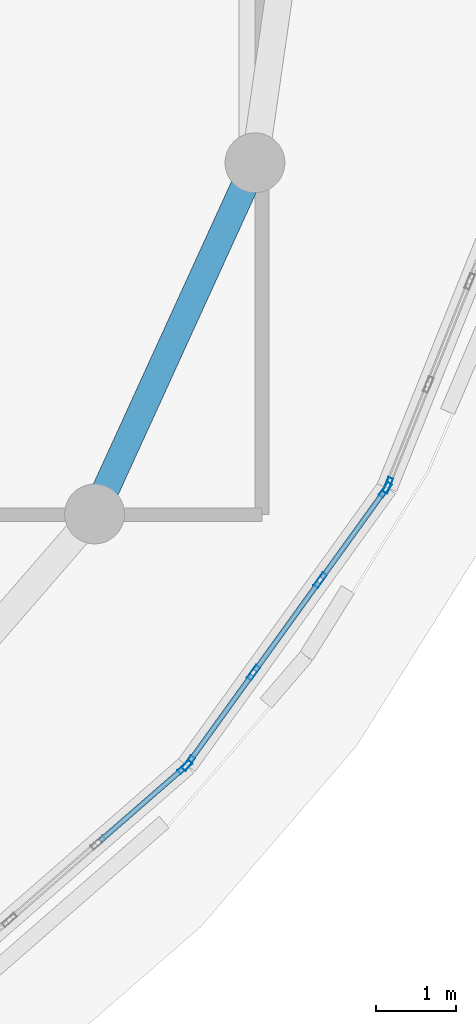
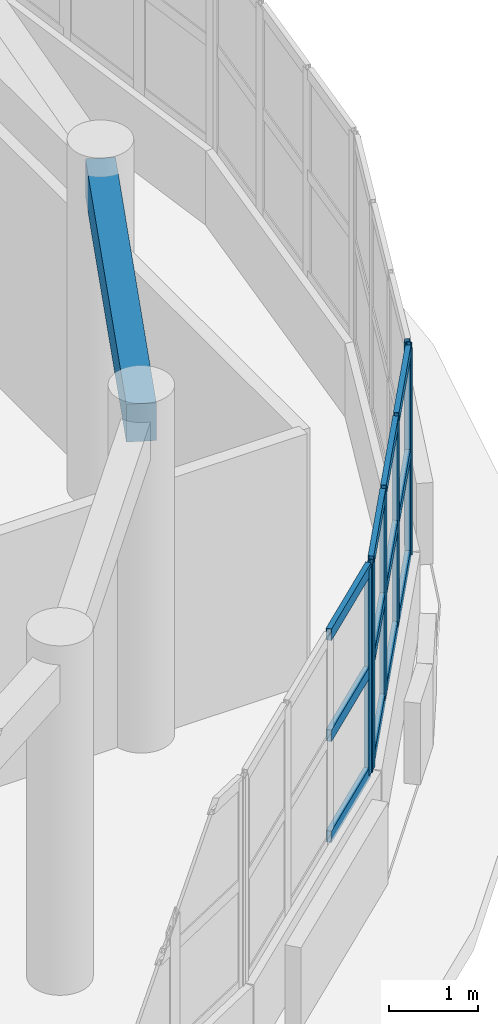
# One storey, part 24 of 98: 18 members, 1 beam, 3 elements without a shape of their own.
"""IFC4 building model written with IfcOpenShell, lengths in metres."""

from ifc_helpers import new_model, si_unit, direction, frame, origin, origin_2d, place, context, subcontext, project, spatial, rectangle, hollow_rectangle, extrude, material, layer, layer_set, material_profile, profile_set, type_object, element, aggregate, save


model = new_model("IFC4")

# Units and contexts
model_context = context("Model", 3, precision=1e-05, world=origin(), true_north=direction((0.0, 1.0)))
body_context = subcontext(model_context, "Body", "Model", "MODEL_VIEW")
ifc_project = project(units=[si_unit("LENGTHUNIT", "METRE"), si_unit("AREAUNIT", "SQUARE_METRE"), si_unit("VOLUMEUNIT", "CUBIC_METRE"), si_unit("PLANEANGLEUNIT", "RADIAN"), si_unit("MASSUNIT", "GRAM", prefix="KILO")], contexts=[model_context])

# Site, building, storey
site_placement = place(None, origin())
site = spatial("IfcSite", under=ifc_project, at=site_placement, CompositionType="ELEMENT")
building_placement = place(site_placement, origin())
building = spatial("IfcBuilding", under=site, at=building_placement, Name="Pelvatis Terrace Science Centre", CompositionType="ELEMENT")
storey_placement = place(building_placement, frame((0.0, 0.0, 5.39990234375)))
storey = spatial("IfcBuildingStorey", under=building, at=storey_placement, Name="L01", CompositionType="ELEMENT", Elevation=5.39990234375)

# Beam
ifc_material_1 = material(Name="Concrete C35/45", Category="concrete")
ifc_material_profile_1 = material_profile(ifc_material_1, rectangle(XDim=0.340087890625, YDim=0.52001953125, at=origin_2d()), Name="RC-BM 340x520")
ifc_profile_set_1 = profile_set([ifc_material_profile_1], Name="Concrete C35/45")
beam_type = type_object("IfcBeamType", Name="BM-RC-340x520", PredefinedType="BEAM", material=ifc_profile_set_1)
beam_placement = place(storey_placement, frame((92.30126953125, 45.4091796875, 4.280029296875), z_axis=(0.415410348173, 0.909634125696, 0.0), x_axis=(-0.909634125696, 0.415410348173, 0.0)))
element("IfcBeam", 1, at=beam_placement, inside=storey, type_object=beam_type, Name="Beam BM-L01-2584", PredefinedType="BEAM", context=body_context, shape_type="SweptSolid", body=[
    extrude(rectangle(XDim=0.340087890625, YDim=0.52001953125, at=origin_2d()), origin(), (0.0, 0.0, 1.0), 4.838623046875),
])

# Curtain wall, member
ifc_material_2 = material(Name="Bronze-anodised aluminium and laminated glass", Category="aluminium")
ifc_layer = layer(ifc_material_2, 0.199951171875)
ifc_layer_set = layer_set([ifc_layer], Name="Bronze-anodised aluminium and laminated glass")
curtain_wall_type = type_object("IfcCurtainWallType", Name="CW-RIBBON-B", PredefinedType="NOTDEFINED", material=ifc_layer_set)
curtain_wall_1_placement = place(storey_placement, origin())
curtain_wall_1 = element("IfcCurtainWall", 2, at=curtain_wall_1_placement, inside=storey, type_object=curtain_wall_type, Name="Ribbon curtain wall CW-073 (L01)", PredefinedType="NOTDEFINED")
ifc_material_3 = material(Name="Bronze-anodised aluminium 6063-T6", Category="aluminium")
ifc_material_profile_2 = material_profile(ifc_material_3, hollow_rectangle(XDim=0.06494140625, YDim=0.199951171875, WallThickness=0.00439453125, at=origin_2d()), Name="ALU-MUL 65x200")
ifc_profile_set_2 = profile_set([ifc_material_profile_2], Name="Bronze-anodised aluminium 6063-T6")
member_type_1 = type_object("IfcMemberType", Name="CWM-65x200", PredefinedType="MULLION", material=ifc_profile_set_2)
member_1_placement = place(storey_placement, frame((93.43310546875, 42.237548828125, 1.02001953125), z_axis=(0.0, 0.0, 1.0), x_axis=(-0.657112137007, 0.753792835863, 0.0)))
member_1 = element("IfcMember", 3, at=member_1_placement, type_object=member_type_1, Name="CW-073 mullion 4", PredefinedType="MULLION", context=body_context, shape_type="SweptSolid", body=[
    extrude(hollow_rectangle(XDim=0.06494140625, YDim=0.199951171875, WallThickness=0.00439453125, at=origin_2d()), origin(), (0.0, 0.0, 1.0), 2.840087890625),
])

# Curtain wall, members
curtain_wall_2_placement = place(storey_placement, origin())
curtain_wall_2 = element("IfcCurtainWall", 4, at=curtain_wall_2_placement, inside=storey, type_object=curtain_wall_type, Name="Ribbon curtain wall CW-074 (L01)", PredefinedType="NOTDEFINED")
member_2_placement = place(storey_placement, frame((93.4765625, 42.285400390625, 1.02001953125), z_axis=(0.0, 0.0, 1.0), x_axis=(-0.811227306854, 0.584730926678, 0.0)))
member_2 = element("IfcMember", 5, at=member_2_placement, type_object=member_type_1, Name="CW-074 mullion 1", PredefinedType="MULLION", context=body_context, shape_type="SweptSolid", body=[
    extrude(hollow_rectangle(XDim=0.06494140625, YDim=0.199951171875, WallThickness=0.00439453125, at=origin_2d()), origin(), (0.0, 0.0, 1.0), 2.840087890625),
])
member_3_placement = place(storey_placement, frame((94.29345703125, 43.418701171875, 1.02001953125), z_axis=(0.0, 0.0, 1.0), x_axis=(-0.811227306854, 0.584730926678, 0.0)))
member_3 = element("IfcMember", 6, at=member_3_placement, type_object=member_type_1, Name="CW-074 mullion 2", PredefinedType="MULLION", context=body_context, shape_type="SweptSolid", body=[
    extrude(hollow_rectangle(XDim=0.06494140625, YDim=0.199951171875, WallThickness=0.00439453125, at=origin_2d()), origin(), (0.0, 0.0, 1.0), 2.840087890625),
])
member_4_placement = place(storey_placement, frame((95.12939453125, 44.578369140625, 1.02001953125), z_axis=(0.0, 0.0, 1.0), x_axis=(-0.811227306854, 0.584730926678, 0.0)))
member_4 = element("IfcMember", 7, at=member_4_placement, type_object=member_type_1, Name="CW-074 mullion 3", PredefinedType="MULLION", context=body_context, shape_type="SweptSolid", body=[
    extrude(hollow_rectangle(XDim=0.06494140625, YDim=0.199951171875, WallThickness=0.00439453125, at=origin_2d()), origin(), (0.0, 0.0, 1.0), 2.840087890625),
])
member_5_placement = place(storey_placement, frame((95.9462890625, 45.7119140625, 1.02001953125), z_axis=(0.0, 0.0, 1.0), x_axis=(-0.811227306854, 0.584730926678, 0.0)))
member_5 = element("IfcMember", 8, at=member_5_placement, type_object=member_type_1, Name="CW-074 mullion 4", PredefinedType="MULLION", context=body_context, shape_type="SweptSolid", body=[
    extrude(hollow_rectangle(XDim=0.06494140625, YDim=0.199951171875, WallThickness=0.00439453125, at=origin_2d()), origin(), (0.0, 0.0, 1.0), 2.840087890625),
])

# Curtain wall, member
curtain_wall_3_placement = place(storey_placement, origin())
curtain_wall_3 = element("IfcCurtainWall", 9, at=curtain_wall_3_placement, inside=storey, type_object=curtain_wall_type, Name="Ribbon curtain wall CW-075 (L01)", PredefinedType="NOTDEFINED")
member_6_placement = place(storey_placement, frame((95.9775390625, 45.768310546875, 1.02001953125), z_axis=(0.0, 0.0, 1.0), x_axis=(-0.928030475045, 0.372504278349, 0.0)))
member_6 = element("IfcMember", 10, at=member_6_placement, type_object=member_type_1, Name="CW-075 mullion 1", PredefinedType="MULLION", context=body_context, shape_type="SweptSolid", body=[
    extrude(hollow_rectangle(XDim=0.06494140625, YDim=0.199951171875, WallThickness=0.00439453125, at=origin_2d()), origin(), (0.0, 0.0, 1.0), 2.840087890625),
])
aggregate(curtain_wall_3, [member_6])

# Member
ifc_material_4 = material(Name="Bronze-anodised aluminium 6063-T6", Category="aluminium")
ifc_material_profile_3 = material_profile(ifc_material_4, hollow_rectangle(XDim=0.06494140625, YDim=0.159912109375, WallThickness=0.00390625, at=origin_2d()), Name="ALU-TRN 65x160")
ifc_profile_set_3 = profile_set([ifc_material_profile_3], Name="Bronze-anodised aluminium 6063-T6")
member_type_2 = type_object("IfcMemberType", Name="CWT-65x160", PredefinedType="USERDEFINED", material=ifc_profile_set_3)
member_7_placement = place(storey_placement, frame((92.37109375, 41.311767578125, 1.052490234375), z_axis=(0.753783992912, 0.65712228088, 0.0), x_axis=(-0.65712228088, 0.753783992912, 0.0)))
member_7 = element("IfcMember", 11, at=member_7_placement, type_object=member_type_2, Name="CW-073 transom 3.1", ObjectType="TRANSOM", PredefinedType="USERDEFINED", context=body_context, shape_type="SweptSolid", body=[
    extrude(hollow_rectangle(XDim=0.06494140625, YDim=0.159912109375, WallThickness=0.00390625, at=origin_2d()), origin(), (0.0, 0.0, 1.0), 1.37646484375),
])

member_8_placement = place(storey_placement, frame((92.37109375, 41.311767578125, 2.440185546875), z_axis=(0.753783992912, 0.65712228088, 0.0), x_axis=(-0.65712228088, 0.753783992912, 0.0)))
member_8 = element("IfcMember", 12, at=member_8_placement, type_object=member_type_2, Name="CW-073 transom 3.2", ObjectType="TRANSOM", PredefinedType="USERDEFINED", context=body_context, shape_type="SweptSolid", body=[
    extrude(hollow_rectangle(XDim=0.06494140625, YDim=0.159912109375, WallThickness=0.00390625, at=origin_2d()), origin(), (0.0, 0.0, 1.0), 1.37646484375),
])

member_9_placement = place(storey_placement, frame((92.37109375, 41.311767578125, 3.82763671875), z_axis=(0.753783992912, 0.65712228088, 0.0), x_axis=(-0.65712228088, 0.753783992912, 0.0)))
member_9 = element("IfcMember", 13, at=member_9_placement, type_object=member_type_2, Name="CW-073 transom 3.3", ObjectType="TRANSOM", PredefinedType="USERDEFINED", context=body_context, shape_type="SweptSolid", body=[
    extrude(hollow_rectangle(XDim=0.06494140625, YDim=0.159912109375, WallThickness=0.00390625, at=origin_2d()), origin(), (0.0, 0.0, 1.0), 1.37646484375),
])

aggregate(curtain_wall_1, [member_1, member_7, member_8, member_9])

member_10_placement = place(storey_placement, frame((93.49560546875, 42.311767578125, 1.052490234375), z_axis=(0.584700597327, 0.811249167325, 0.0), x_axis=(-0.811249167325, 0.584700597327, 0.0)))
member_10 = element("IfcMember", 14, at=member_10_placement, type_object=member_type_2, Name="CW-074 transom 1.1", ObjectType="TRANSOM", PredefinedType="USERDEFINED", context=body_context, shape_type="SweptSolid", body=[
    extrude(hollow_rectangle(XDim=0.06494140625, YDim=0.159912109375, WallThickness=0.00390625, at=origin_2d()), origin(), (0.0, 0.0, 1.0), 1.33203125),
])

member_11_placement = place(storey_placement, frame((93.49560546875, 42.311767578125, 2.440185546875), z_axis=(0.584700597327, 0.811249167325, 0.0), x_axis=(-0.811249167325, 0.584700597327, 0.0)))
member_11 = element("IfcMember", 15, at=member_11_placement, type_object=member_type_2, Name="CW-074 transom 1.2", ObjectType="TRANSOM", PredefinedType="USERDEFINED", context=body_context, shape_type="SweptSolid", body=[
    extrude(hollow_rectangle(XDim=0.06494140625, YDim=0.159912109375, WallThickness=0.00390625, at=origin_2d()), origin(), (0.0, 0.0, 1.0), 1.33203125),
])

member_12_placement = place(storey_placement, frame((93.49560546875, 42.311767578125, 3.82763671875), z_axis=(0.584700597327, 0.811249167325, 0.0), x_axis=(-0.811249167325, 0.584700597327, 0.0)))
member_12 = element("IfcMember", 16, at=member_12_placement, type_object=member_type_2, Name="CW-074 transom 1.3", ObjectType="TRANSOM", PredefinedType="USERDEFINED", context=body_context, shape_type="SweptSolid", body=[
    extrude(hollow_rectangle(XDim=0.06494140625, YDim=0.159912109375, WallThickness=0.00390625, at=origin_2d()), origin(), (0.0, 0.0, 1.0), 1.33203125),
])

member_13_placement = place(storey_placement, frame((94.3125, 43.445068359375, 1.052490234375), z_axis=(0.58471943348, 0.811235591003, 0.0), x_axis=(-0.811235591003, 0.58471943348, 0.0)))
member_13 = element("IfcMember", 17, at=member_13_placement, type_object=member_type_2, Name="CW-074 transom 2.1", ObjectType="TRANSOM", PredefinedType="USERDEFINED", context=body_context, shape_type="SweptSolid", body=[
    extrude(hollow_rectangle(XDim=0.06494140625, YDim=0.159912109375, WallThickness=0.00390625, at=origin_2d()), origin(), (0.0, 0.0, 1.0), 1.364501953125),
])

member_14_placement = place(storey_placement, frame((94.3125, 43.445068359375, 2.440185546875), z_axis=(0.58471943348, 0.811235591003, 0.0), x_axis=(-0.811235591003, 0.58471943348, 0.0)))
member_14 = element("IfcMember", 18, at=member_14_placement, type_object=member_type_2, Name="CW-074 transom 2.2", ObjectType="TRANSOM", PredefinedType="USERDEFINED", context=body_context, shape_type="SweptSolid", body=[
    extrude(hollow_rectangle(XDim=0.06494140625, YDim=0.159912109375, WallThickness=0.00390625, at=origin_2d()), origin(), (0.0, 0.0, 1.0), 1.364501953125),
])

member_15_placement = place(storey_placement, frame((94.3125, 43.445068359375, 3.82763671875), z_axis=(0.58471943348, 0.811235591003, 0.0), x_axis=(-0.811235591003, 0.58471943348, 0.0)))
member_15 = element("IfcMember", 19, at=member_15_placement, type_object=member_type_2, Name="CW-074 transom 2.3", ObjectType="TRANSOM", PredefinedType="USERDEFINED", context=body_context, shape_type="SweptSolid", body=[
    extrude(hollow_rectangle(XDim=0.06494140625, YDim=0.159912109375, WallThickness=0.00390625, at=origin_2d()), origin(), (0.0, 0.0, 1.0), 1.364501953125),
])

member_16_placement = place(storey_placement, frame((95.1484375, 44.604736328125, 1.052490234375), z_axis=(0.584734274904, 0.81122489345, 0.0), x_axis=(-0.81122489345, 0.584734274904, 0.0)))
member_16 = element("IfcMember", 20, at=member_16_placement, type_object=member_type_2, Name="CW-074 transom 3.1", ObjectType="TRANSOM", PredefinedType="USERDEFINED", context=body_context, shape_type="SweptSolid", body=[
    extrude(hollow_rectangle(XDim=0.06494140625, YDim=0.159912109375, WallThickness=0.00390625, at=origin_2d()), origin(), (0.0, 0.0, 1.0), 1.332275390625),
])

member_17_placement = place(storey_placement, frame((95.1484375, 44.604736328125, 2.440185546875), z_axis=(0.584734274904, 0.81122489345, 0.0), x_axis=(-0.81122489345, 0.584734274904, 0.0)))
member_17 = element("IfcMember", 21, at=member_17_placement, type_object=member_type_2, Name="CW-074 transom 3.2", ObjectType="TRANSOM", PredefinedType="USERDEFINED", context=body_context, shape_type="SweptSolid", body=[
    extrude(hollow_rectangle(XDim=0.06494140625, YDim=0.159912109375, WallThickness=0.00390625, at=origin_2d()), origin(), (0.0, 0.0, 1.0), 1.332275390625),
])

member_18_placement = place(storey_placement, frame((95.1484375, 44.604736328125, 3.82763671875), z_axis=(0.584734274904, 0.81122489345, 0.0), x_axis=(-0.81122489345, 0.584734274904, 0.0)))
member_18 = element("IfcMember", 22, at=member_18_placement, type_object=member_type_2, Name="CW-074 transom 3.3", ObjectType="TRANSOM", PredefinedType="USERDEFINED", context=body_context, shape_type="SweptSolid", body=[
    extrude(hollow_rectangle(XDim=0.06494140625, YDim=0.159912109375, WallThickness=0.00390625, at=origin_2d()), origin(), (0.0, 0.0, 1.0), 1.332275390625),
])

aggregate(curtain_wall_2, [member_2, member_3, member_4, member_5, member_10, member_11, member_12, member_13, member_14, member_15, member_16, member_17, member_18])

save(model, "model.ifc")
